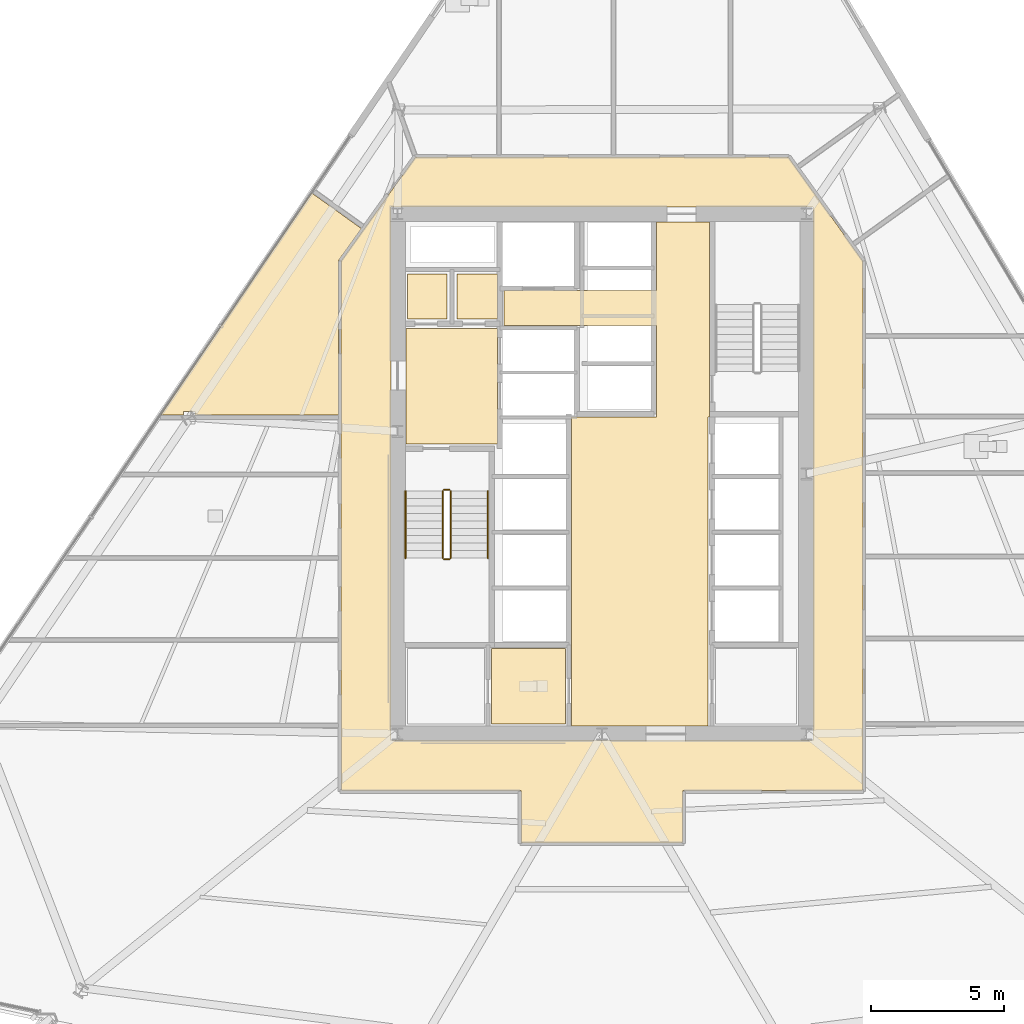
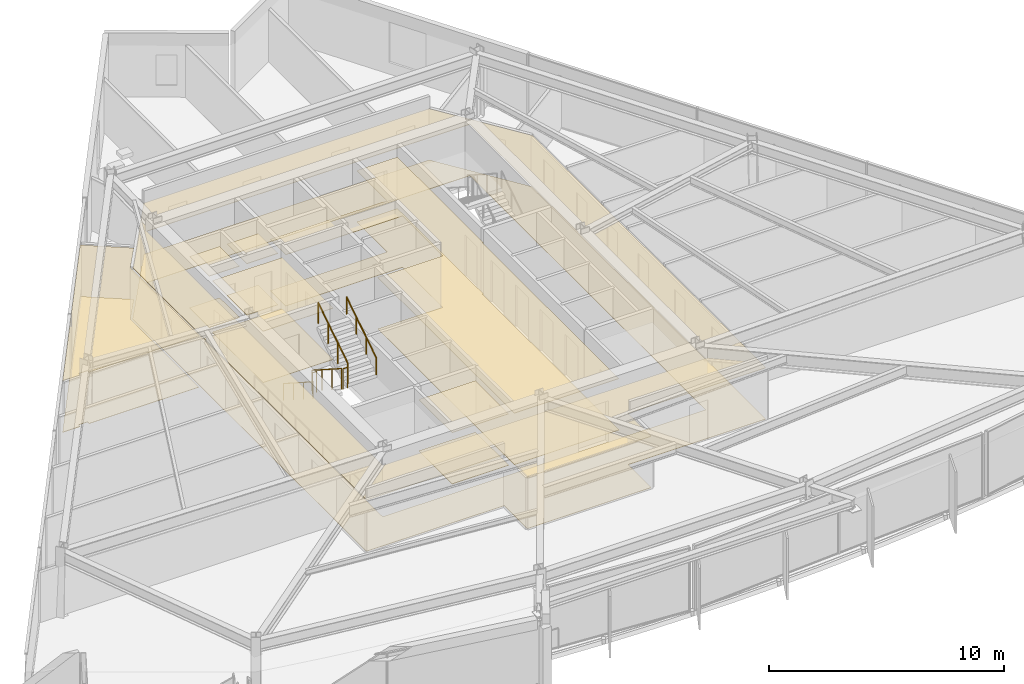
# One storey, part 14 of 17: 14 coverings, 6 railings.
"""IFC4 building model written with IfcOpenShell, lengths in metres."""

import ifcopenshell
import ifcopenshell.guid

model = None  # the IFC model being written
_history = None  # IfcOwnerHistory: only IFC2X3 demands one
_inside = {}  # id of a spatial element -> (the spatial element, [elements in it])
_under = {}  # id of a project, library or spatial element -> (it, [spatial elements below it])
_declared = {}  # id of a project -> (the project, [libraries it declares])
_typed = {}  # id of a type object -> (the type object, [elements of that type])
_made_of = {}  # id of a material, layer set ... -> (it, [elements and type objects made of it])


def new_model(schema):
    """Start an empty IFC model of exactly this schema.

    Asked for "IFC4X3", IfcOpenShell would pick the latest addendum, in which some entities
    have other attributes; the version numbers below select the first issue.
    IFC2X3 requires an IfcOwnerHistory on every rooted entity: one is made here for all.
    """
    global model, _history
    if schema == "IFC4X3":
        model = ifcopenshell.file(schema_version=(4, 3, 0, 0))
    else:
        model = ifcopenshell.file(schema=schema)
    _inside.clear()
    _under.clear()
    _declared.clear()
    _typed.clear()
    _made_of.clear()
    _history = None
    if model.schema == "IFC2X3":
        org = make("IfcOrganization", Name="unknown")
        user = make(
            "IfcPersonAndOrganization",
            ThePerson=make("IfcPerson", FamilyName="unknown"),
            TheOrganization=org,
        )
        app = make(
            "IfcApplication",
            ApplicationDeveloper=org,
            Version="unknown",
            ApplicationFullName="unknown",
            ApplicationIdentifier="unknown",
        )
        _history = make(
            "IfcOwnerHistory",
            OwningUser=user,
            OwningApplication=app,
            ChangeAction="ADDED",
            CreationDate=0,
        )
    return model


def make(cls, **values):
    """One entity of the class cls with the attributes given. An attribute that is None is left unset."""
    return model.create_entity(
        cls, **{name: value for name, value in values.items() if value is not None}
    )


def rooted(cls, **values):
    """An entity with a GlobalId (a new one), such as an element, a storey or a relation."""
    return make(cls, GlobalId=ifcopenshell.guid.new(), OwnerHistory=_history, **values)


def si_unit(unit_type, name, prefix=None):
    """IfcSIUnit, for example si_unit("LENGTHUNIT", "METRE", prefix="MILLI")."""
    return make("IfcSIUnit", UnitType=unit_type, Prefix=prefix, Name=name)


def assignment(units):
    """IfcUnitAssignment: the units of a project."""
    return None if units is None else make("IfcUnitAssignment", Units=units)


def point(xyz):
    """IfcCartesianPoint."""
    return None if xyz is None else make("IfcCartesianPoint", Coordinates=xyz)


def direction(xyz):
    """IfcDirection."""
    return None if xyz is None else make("IfcDirection", DirectionRatios=xyz)


def frame(location, z_axis=None, x_axis=None):
    """IfcAxis2Placement3D, a coordinate frame: its origin and axes. An axis left out is left unset."""
    return make(
        "IfcAxis2Placement3D",
        Location=point(location),
        Axis=direction(z_axis),
        RefDirection=direction(x_axis),
    )


def frame_2d(location, x_axis=None):
    """IfcAxis2Placement2D, a coordinate frame in the plane: its origin and x axis."""
    return make(
        "IfcAxis2Placement2D", Location=point(location), RefDirection=direction(x_axis)
    )


def origin():
    """The frame at (0, 0, 0) with its axes left unset."""
    return frame((0.0, 0.0, 0.0))


def origin_2d():
    """The frame at (0, 0) in the plane with its x axis left unset."""
    return frame_2d((0.0, 0.0))


def place(relative_to, where):
    """IfcLocalPlacement: puts the frame where relative to a parent placement (None: the world)."""
    return make(
        "IfcLocalPlacement", PlacementRelTo=relative_to, RelativePlacement=where
    )


def context(
    kind, dimensions, precision=None, world=None, true_north=None, identifier=None
):
    """IfcGeometricRepresentationContext, for example the 3D "Model" context."""
    return make(
        "IfcGeometricRepresentationContext",
        ContextIdentifier=identifier,
        ContextType=kind,
        CoordinateSpaceDimension=dimensions,
        Precision=precision,
        WorldCoordinateSystem=world,
        TrueNorth=true_north,
    )


def subcontext(parent, identifier, kind, view, scale=None):
    """IfcGeometricRepresentationSubContext, for example "Body" below "Model"."""
    return make(
        "IfcGeometricRepresentationSubContext",
        ContextIdentifier=identifier,
        ContextType=kind,
        ParentContext=parent,
        TargetScale=scale,
        TargetView=view,
    )


def project(units=None, contexts=None):
    """IfcProject with its units and contexts."""
    return rooted(
        "IfcProject",
        Name="project",
        RepresentationContexts=contexts,
        UnitsInContext=assignment(units),
    )


def spatial(cls, under=None, at=None, **own):
    """A site, building, storey or space (cls), placed at a placement, below another one or the project."""
    s = rooted(cls, ObjectPlacement=at, **own)
    if under is not None:
        _under.setdefault(under.id(), (under, []))[1].append(s)
    return s


def polyline(points):
    """IfcPolyline through the points."""
    return make("IfcPolyline", Points=[point(p) for p in points])


def profile(cls, at=None, kind="AREA", **sizes):
    """A parametric profile (cls). Its sizes go by their IFC names, for example OverallWidth=200.0."""
    return make(cls, ProfileType=kind, Position=at, **sizes)


def circle(**sizes):
    """IfcCircleProfileDef."""
    return profile("IfcCircleProfileDef", **sizes)


def outline(outer, holes=None, kind="AREA"):
    """IfcArbitraryClosedProfileDef: a profile drawn as a closed curve; with holes, ...WithVoids."""
    if holes is None:
        return make("IfcArbitraryClosedProfileDef", ProfileType=kind, OuterCurve=outer)
    return make(
        "IfcArbitraryProfileDefWithVoids",
        ProfileType=kind,
        OuterCurve=outer,
        InnerCurves=holes,
    )


def extrude(swept, where, along, depth):
    """IfcExtrudedAreaSolid: the profile swept, set in the frame where, extruded along a direction by depth."""
    return make(
        "IfcExtrudedAreaSolid",
        SweptArea=swept,
        Position=where,
        ExtrudedDirection=direction(along),
        Depth=depth,
    )


def shape(context_of_items, identifier, shape_type, items):
    """IfcShapeRepresentation: the items that make up one representation, for example the "Body"."""
    return make(
        "IfcShapeRepresentation",
        ContextOfItems=context_of_items,
        RepresentationIdentifier=identifier,
        RepresentationType=shape_type,
        Items=items,
    )


def material(Name=None, Category=None):
    """IfcMaterial."""
    return make("IfcMaterial", Name=Name, Category=Category)


def layer(
    of_material, thickness, ventilated=None, Name=None, Category=None, Priority=None
):
    """IfcMaterialLayer: one layer of a wall or slab, of a material (None: an air gap)."""
    return make(
        "IfcMaterialLayer",
        Material=of_material,
        LayerThickness=thickness,
        IsVentilated=ventilated,
        Name=Name,
        Category=Category,
        Priority=Priority,
    )


def layer_set(layers, Name=None):
    """IfcMaterialLayerSet."""
    return make("IfcMaterialLayerSet", MaterialLayers=layers, LayerSetName=Name)


def made_of(thing, what):
    """Note that an element or type object is made of a material, layer set ...; save() writes the relation."""
    if what is not None:
        _made_of.setdefault(what.id(), (what, []))[1].append(thing)
    return thing


def type_object(cls, material=None, **own):
    """A type object (cls), such as IfcWallType, which elements share."""
    return made_of(rooted(cls, **own), material)


def element(
    cls,
    number,
    at=None,
    inside=None,
    cuts=None,
    type_object=None,
    material=None,
    context=None,
    identifier="Body",
    shape_type=None,
    held_by="IfcProductDefinitionShape",
    body=None,
    shapes=None,
    **own,
):
    """One element of the class cls, such as IfcWall. Its Tag is "e" and its number.

    at: its placement. inside: the storey or other place that contains it. cuts: it is an
    opening in that element (IfcRelVoidsElement). A single representation is given by context,
    identifier, shape_type and body (its items); several are given by shapes. held_by: the class
    of the entity that holds the representations. save() writes the other relations.
    """
    e = rooted(cls, Tag="e%d" % number, ObjectPlacement=at, **own)
    if body is not None:
        shapes = [shape(context, identifier, shape_type, body)]
    if shapes is not None:
        e.Representation = make(held_by, Representations=shapes)
    if inside is not None:
        _inside.setdefault(inside.id(), (inside, []))[1].append(e)
    if cuts is not None:
        rooted(
            "IfcRelVoidsElement", RelatingBuildingElement=cuts, RelatedOpeningElement=e
        )
    if type_object is not None:
        _typed.setdefault(type_object.id(), (type_object, []))[1].append(e)
    return made_of(e, material)


def aggregate(whole, parts):
    """IfcRelAggregates: a whole, such as a stair, and the parts it consists of."""
    return rooted("IfcRelAggregates", RelatingObject=whole, RelatedObjects=parts)


def save(model, path):
    """Write the relations noted so far, then the file.

    IfcRelAggregates (storeys below a building ...), IfcRelContainedInSpatialStructure (elements
    in a storey), IfcRelDefinesByType, IfcRelAssociatesMaterial and IfcRelDeclares: one each for
    every whole, place, type object, material and project.
    """
    for whole, parts in _under.values():
        aggregate(whole, parts)
    for where, things in _inside.values():
        rooted(
            "IfcRelContainedInSpatialStructure",
            RelatedElements=things,
            RelatingStructure=where,
        )
    for kind, things in _typed.values():
        rooted("IfcRelDefinesByType", RelatedObjects=things, RelatingType=kind)
    for what, things in _made_of.values():
        rooted("IfcRelAssociatesMaterial", RelatedObjects=things, RelatingMaterial=what)
    for by, libraries in _declared.values():
        rooted("IfcRelDeclares", RelatingContext=by, RelatedDefinitions=libraries)
    model.write(path)


model = new_model("IFC4")

# Units and contexts
model_context = context("Model", 3, precision=1e-05, world=origin(), true_north=direction((0.0, 1.0)))
body_context = subcontext(model_context, "Body", "Model", "MODEL_VIEW")
ifc_project = project(units=[si_unit("LENGTHUNIT", "METRE"), si_unit("AREAUNIT", "SQUARE_METRE"), si_unit("VOLUMEUNIT", "CUBIC_METRE"), si_unit("PLANEANGLEUNIT", "RADIAN"), si_unit("MASSUNIT", "GRAM", prefix="KILO")], contexts=[model_context])

# Site, building, storey
site_placement = place(None, origin())
site = spatial("IfcSite", under=ifc_project, at=site_placement, CompositionType="ELEMENT")
building_placement = place(site_placement, origin())
building = spatial("IfcBuilding", under=site, at=building_placement, Name="Savorim Split Tower", CompositionType="ELEMENT")
storey_placement = place(building_placement, frame((0.0, 0.0, 62.39990234375)))
storey = spatial("IfcBuildingStorey", under=building, at=storey_placement, Name="L16", CompositionType="ELEMENT", Elevation=62.39990234375)

# Coverings
ifc_material_1 = material(Name="Mineral Fibre Acoustic Ceiling")
ifc_layer_1 = layer(ifc_material_1, 0.02490234375)
ifc_layer_set_1 = layer_set([ifc_layer_1], Name="COV-CEIL-25")
covering_type_1 = type_object("IfcCoveringType", Name="COV-CEIL-25", PredefinedType="CEILING", material=ifc_layer_set_1)
covering_1_placement = place(storey_placement, frame((0.0, 0.0, 2.670166015625)))
element("IfcCovering", 1, at=covering_1_placement, inside=storey, type_object=covering_type_1, Name="L16 Firefighting Lift Lobby Acoustic Ceiling", PredefinedType="CEILING", context=body_context, shape_type="SweptSolid", body=[
    extrude(outline(polyline([(-7.3798828125, 5.8701171875), (-7.3798828125, 1.530029296875), (-3.929931640625, 1.530029296875), (-3.929931640625, 5.8701171875), (-7.3798828125, 5.8701171875)])), origin(), (0.0, 0.0, 1.0), 0.02490234375),
])
covering_2_placement = place(storey_placement, frame((0.0, 0.0, 2.670166015625)))
element("IfcCovering", 2, at=covering_2_placement, inside=storey, type_object=covering_type_1, Name="L16 Electrical Riser Acoustic Ceiling", PredefinedType="CEILING", context=body_context, shape_type="SweptSolid", body=[
    extrude(outline(polyline([(-7.320068359375, 7.919921875), (-7.320068359375, 6.22998046875), (-5.830078125, 6.22998046875), (-5.830078125, 7.919921875), (-7.320068359375, 7.919921875)])), origin(), (0.0, 0.0, 1.0), 0.02490234375),
])
covering_3_placement = place(storey_placement, frame((0.0, 0.0, 2.670166015625)))
element("IfcCovering", 3, at=covering_3_placement, inside=storey, type_object=covering_type_1, Name="L16 Telecom Riser Acoustic Ceiling", PredefinedType="CEILING", context=body_context, shape_type="SweptSolid", body=[
    extrude(outline(polyline([(-5.469970703125, 7.919921875), (-5.469970703125, 6.22998046875), (-3.929931640625, 6.22998046875), (-3.929931640625, 7.919921875), (-5.469970703125, 7.919921875)])), origin(), (0.0, 0.0, 1.0), 0.02490234375),
])
covering_4_placement = place(storey_placement, frame((0.0, 0.0, 2.670166015625)))
element("IfcCovering", 4, at=covering_4_placement, inside=storey, type_object=covering_type_1, Name="L16 Lift Lobby Acoustic Ceiling", PredefinedType="CEILING", context=body_context, shape_type="SweptSolid", body=[
    extrude(outline(polyline([(2.050048828125, 2.550048828125), (-1.14990234375, 2.550048828125), (-1.14990234375, -9.10009765625), (4.0, -9.10009765625), (4.0, 2.550048828125), (4.050048828125, 2.550048828125), (4.050048828125, 5.97998046875), (4.050048828125, 7.300048828125), (4.050048828125, 9.8798828125), (2.050048828125, 9.8798828125), (2.050048828125, 7.300048828125), (-3.699951171875, 7.300048828125), (-3.699951171875, 5.97998046875), (2.050048828125, 5.97998046875), (2.050048828125, 2.550048828125)])), origin(), (0.0, 0.0, 1.0), 0.02490234375),
])
covering_5_placement = place(storey_placement, frame((0.0, 0.0, 2.670166015625)))
element("IfcCovering", 5, at=covering_5_placement, inside=storey, type_object=covering_type_1, Name="L16 Accessible WC Acoustic Ceiling", PredefinedType="CEILING", context=body_context, shape_type="SweptSolid", body=[
    extrude(outline(polyline([(-4.169921875, -6.179931640625), (-4.169921875, -9.02001953125), (-1.3798828125, -9.02001953125), (-1.3798828125, -6.179931640625), (-4.169921875, -6.179931640625)])), origin(), (0.0, 0.0, 1.0), 0.02490234375),
])
covering_6_placement = place(storey_placement, frame((0.0, 0.0, 2.670166015625)))
element("IfcCovering", 6, at=covering_6_placement, inside=storey, type_object=covering_type_1, Name="L16 Corridor Acoustic Ceiling", PredefinedType="CEILING", context=body_context, shape_type="SweptSolid", body=[
    extrude(outline(polyline([(7.009521484375, 12.3291015625), (7.004638671875, 12.329833984375), (7.0, 12.330078125), (-7.0, 12.330078125), (-7.004638671875, 12.329833984375), (-7.009521484375, 12.3291015625), (-7.013916015625, 12.327880859375), (-7.0185546875, 12.326416015625), (-7.022705078125, 12.324462890625), (-7.027099609375, 12.322021484375), (-7.03076171875, 12.3193359375), (-7.034423828125, 12.31640625), (-7.03759765625, 12.312744140625), (-7.04052734375, 12.30908203125), (-9.820556640625, 8.42919921875), (-9.823486328125, 8.4248046875), (-9.82568359375, 8.420166015625), (-9.82763671875, 8.415283203125), (-9.828857421875, 8.410400390625), (-9.82958984375, 8.4052734375), (-9.830078125, 8.39990234375), (-9.830078125, -11.47998046875), (-9.829833984375, -11.48486328125), (-9.8291015625, -11.48974609375), (-9.827880859375, -11.494384765625), (-9.826171875, -11.4990234375), (-9.82421875, -11.503662109375), (-9.821533203125, -11.5078125), (-9.818603515625, -11.51171875), (-9.8154296875, -11.515380859375), (-9.811767578125, -11.518798828125), (-9.807861328125, -11.521484375), (-9.8037109375, -11.524169921875), (-9.799072265625, -11.526123046875), (-9.79443359375, -11.52783203125), (-9.789794921875, -11.529052734375), (-9.784912109375, -11.52978515625), (-9.780029296875, -11.530029296875), (-3.050048828125, -11.530029296875), (-3.050048828125, -13.449951171875), (-3.0498046875, -13.454833984375), (-3.049072265625, -13.459716796875), (-3.0478515625, -13.464599609375), (-3.046142578125, -13.468994140625), (-3.044189453125, -13.4736328125), (-3.04150390625, -13.477783203125), (-3.038818359375, -13.481689453125), (-3.035400390625, -13.4853515625), (-3.03173828125, -13.48876953125), (-3.02783203125, -13.49169921875), (-3.023681640625, -13.494140625), (-3.01904296875, -13.49609375), (-3.014404296875, -13.497802734375), (-3.009765625, -13.4990234375), (-3.0048828125, -13.499755859375), (-3.0, -13.5), (3.0, -13.5), (3.0048828125, -13.499755859375), (3.009765625, -13.4990234375), (3.014404296875, -13.497802734375), (3.01904296875, -13.49609375), (3.023681640625, -13.494140625), (3.02783203125, -13.49169921875), (3.03173828125, -13.48876953125), (3.035400390625, -13.4853515625), (3.038818359375, -13.481689453125), (3.04150390625, -13.477783203125), (3.044189453125, -13.4736328125), (3.046142578125, -13.468994140625), (3.0478515625, -13.464599609375), (3.049072265625, -13.459716796875), (3.0498046875, -13.454833984375), (3.050048828125, -13.449951171875), (3.050048828125, -11.530029296875), (9.780029296875, -11.530029296875), (9.784912109375, -11.52978515625), (9.789794921875, -11.529052734375), (9.79443359375, -11.52783203125), (9.799072265625, -11.526123046875), (9.8037109375, -11.524169921875), (9.807861328125, -11.521484375), (9.811767578125, -11.518798828125), (9.8154296875, -11.515380859375), (9.818603515625, -11.51171875), (9.821533203125, -11.5078125), (9.82421875, -11.503662109375), (9.826171875, -11.4990234375), (9.827880859375, -11.494384765625), (9.8291015625, -11.48974609375), (9.829833984375, -11.48486328125), (9.830078125, -11.47998046875), (9.830078125, 8.39990234375), (9.82958984375, 8.4052734375), (9.828857421875, 8.410400390625), (9.82763671875, 8.415283203125), (9.82568359375, 8.420166015625), (9.823486328125, 8.4248046875), (9.820556640625, 8.42919921875), (7.04052734375, 12.30908203125), (7.03759765625, 12.312744140625), (7.034423828125, 12.31640625), (7.03076171875, 12.3193359375), (7.027099609375, 12.322021484375), (7.022705078125, 12.324462890625), (7.0185546875, 12.326416015625), (7.013916015625, 12.327880859375), (7.009521484375, 12.3291015625)]), holes=[polyline([(-7.949951171875, 10.449951171875), (-7.949951171875, -9.64990234375), (7.949951171875, -9.64990234375), (7.949951171875, 10.449951171875), (-7.949951171875, 10.449951171875)])]), origin(), (0.0, 0.0, 1.0), 0.02490234375),
])
covering_7_placement = place(storey_placement, frame((0.0, 0.0, 2.670166015625)))
element("IfcCovering", 7, at=covering_7_placement, inside=storey, type_object=covering_type_1, Name="L16 Maker Workshop Acoustic Ceiling", PredefinedType="CEILING", context=body_context, shape_type="SweptSolid", body=[
    extrude(outline(polyline([(-9.908203125, 8.456298828125), (-9.901611328125, 8.46923828125), (-9.893798828125, 8.4814453125), (-9.06298828125, 9.640869140625), (-10.9345703125, 10.98193359375), (-16.630615234375, 2.609130859375), (-15.76123046875, 2.609130859375), (-15.76123046875, 2.74169921875), (-15.3291015625, 2.74169921875), (-15.3291015625, 2.609130859375), (-9.919921875, 2.609130859375), (-9.919921875, 8.39990234375), (-9.919189453125, 8.41455078125), (-9.9169921875, 8.4287109375), (-9.913330078125, 8.44287109375), (-9.908203125, 8.456298828125)])), origin(), (0.0, 0.0, 1.0), 0.02490234375),
])
ifc_material_2 = material(Name="Porcelain Stoneware Flooring", Category="masonry")
ifc_layer_2 = layer(ifc_material_2, 0.02001953125)
ifc_layer_set_2 = layer_set([ifc_layer_2], Name="COV-FLOR-20")
covering_type_2 = type_object("IfcCoveringType", Name="COV-FLOR-20", PredefinedType="FLOORING", material=ifc_layer_set_2)
covering_8_placement = place(storey_placement, origin())
element("IfcCovering", 8, at=covering_8_placement, inside=storey, type_object=covering_type_2, Name="L16 Firefighting Lift Lobby Porcelain Flooring", PredefinedType="FLOORING", context=body_context, shape_type="SweptSolid", body=[
    extrude(outline(polyline([(-7.3798828125, 5.8701171875), (-7.3798828125, 1.530029296875), (-3.929931640625, 1.530029296875), (-3.929931640625, 5.8701171875), (-7.3798828125, 5.8701171875)])), origin(), (0.0, 0.0, 1.0), 0.02001953125),
])
covering_9_placement = place(storey_placement, origin())
element("IfcCovering", 9, at=covering_9_placement, inside=storey, type_object=covering_type_2, Name="L16 Electrical Riser Porcelain Flooring", PredefinedType="FLOORING", context=body_context, shape_type="SweptSolid", body=[
    extrude(outline(polyline([(-7.320068359375, 7.919921875), (-7.320068359375, 6.22998046875), (-5.830078125, 6.22998046875), (-5.830078125, 7.919921875), (-7.320068359375, 7.919921875)])), origin(), (0.0, 0.0, 1.0), 0.02001953125),
])
covering_10_placement = place(storey_placement, origin())
element("IfcCovering", 10, at=covering_10_placement, inside=storey, type_object=covering_type_2, Name="L16 Telecom Riser Porcelain Flooring", PredefinedType="FLOORING", context=body_context, shape_type="SweptSolid", body=[
    extrude(outline(polyline([(-5.469970703125, 7.919921875), (-5.469970703125, 6.22998046875), (-3.929931640625, 6.22998046875), (-3.929931640625, 7.919921875), (-5.469970703125, 7.919921875)])), origin(), (0.0, 0.0, 1.0), 0.02001953125),
])
covering_11_placement = place(storey_placement, origin())
element("IfcCovering", 11, at=covering_11_placement, inside=storey, type_object=covering_type_2, Name="L16 Lift Lobby Porcelain Flooring", PredefinedType="FLOORING", context=body_context, shape_type="SweptSolid", body=[
    extrude(outline(polyline([(2.050048828125, 2.550048828125), (-1.14990234375, 2.550048828125), (-1.14990234375, -9.10009765625), (4.0, -9.10009765625), (4.0, 2.550048828125), (4.050048828125, 2.550048828125), (4.050048828125, 5.97998046875), (4.050048828125, 7.300048828125), (4.050048828125, 9.8798828125), (2.050048828125, 9.8798828125), (2.050048828125, 7.300048828125), (-3.699951171875, 7.300048828125), (-3.699951171875, 5.97998046875), (2.050048828125, 5.97998046875), (2.050048828125, 2.550048828125)])), origin(), (0.0, 0.0, 1.0), 0.02001953125),
])
covering_12_placement = place(storey_placement, origin())
element("IfcCovering", 12, at=covering_12_placement, inside=storey, type_object=covering_type_2, Name="L16 Accessible WC Porcelain Flooring", PredefinedType="FLOORING", context=body_context, shape_type="SweptSolid", body=[
    extrude(outline(polyline([(-4.169921875, -6.179931640625), (-4.169921875, -9.02001953125), (-1.3798828125, -9.02001953125), (-1.3798828125, -6.179931640625), (-4.169921875, -6.179931640625)])), origin(), (0.0, 0.0, 1.0), 0.02001953125),
])
covering_13_placement = place(storey_placement, origin())
element("IfcCovering", 13, at=covering_13_placement, inside=storey, type_object=covering_type_2, Name="L16 Corridor Porcelain Flooring", PredefinedType="FLOORING", context=body_context, shape_type="SweptSolid", body=[
    extrude(outline(polyline([(7.009521484375, 12.3291015625), (7.004638671875, 12.329833984375), (7.0, 12.330078125), (-7.0, 12.330078125), (-7.004638671875, 12.329833984375), (-7.009521484375, 12.3291015625), (-7.013916015625, 12.327880859375), (-7.0185546875, 12.326416015625), (-7.022705078125, 12.324462890625), (-7.027099609375, 12.322021484375), (-7.03076171875, 12.3193359375), (-7.034423828125, 12.31640625), (-7.03759765625, 12.312744140625), (-7.04052734375, 12.30908203125), (-9.820556640625, 8.42919921875), (-9.823486328125, 8.4248046875), (-9.82568359375, 8.420166015625), (-9.82763671875, 8.415283203125), (-9.828857421875, 8.410400390625), (-9.82958984375, 8.4052734375), (-9.830078125, 8.39990234375), (-9.830078125, -11.47998046875), (-9.829833984375, -11.48486328125), (-9.8291015625, -11.48974609375), (-9.827880859375, -11.494384765625), (-9.826171875, -11.4990234375), (-9.82421875, -11.503662109375), (-9.821533203125, -11.5078125), (-9.818603515625, -11.51171875), (-9.8154296875, -11.515380859375), (-9.811767578125, -11.518798828125), (-9.807861328125, -11.521484375), (-9.8037109375, -11.524169921875), (-9.799072265625, -11.526123046875), (-9.79443359375, -11.52783203125), (-9.789794921875, -11.529052734375), (-9.784912109375, -11.52978515625), (-9.780029296875, -11.530029296875), (-3.050048828125, -11.530029296875), (-3.050048828125, -13.449951171875), (-3.0498046875, -13.454833984375), (-3.049072265625, -13.459716796875), (-3.0478515625, -13.464599609375), (-3.046142578125, -13.468994140625), (-3.044189453125, -13.4736328125), (-3.04150390625, -13.477783203125), (-3.038818359375, -13.481689453125), (-3.035400390625, -13.4853515625), (-3.03173828125, -13.48876953125), (-3.02783203125, -13.49169921875), (-3.023681640625, -13.494140625), (-3.01904296875, -13.49609375), (-3.014404296875, -13.497802734375), (-3.009765625, -13.4990234375), (-3.0048828125, -13.499755859375), (-3.0, -13.5), (3.0, -13.5), (3.0048828125, -13.499755859375), (3.009765625, -13.4990234375), (3.014404296875, -13.497802734375), (3.01904296875, -13.49609375), (3.023681640625, -13.494140625), (3.02783203125, -13.49169921875), (3.03173828125, -13.48876953125), (3.035400390625, -13.4853515625), (3.038818359375, -13.481689453125), (3.04150390625, -13.477783203125), (3.044189453125, -13.4736328125), (3.046142578125, -13.468994140625), (3.0478515625, -13.464599609375), (3.049072265625, -13.459716796875), (3.0498046875, -13.454833984375), (3.050048828125, -13.449951171875), (3.050048828125, -11.530029296875), (9.780029296875, -11.530029296875), (9.784912109375, -11.52978515625), (9.789794921875, -11.529052734375), (9.79443359375, -11.52783203125), (9.799072265625, -11.526123046875), (9.8037109375, -11.524169921875), (9.807861328125, -11.521484375), (9.811767578125, -11.518798828125), (9.8154296875, -11.515380859375), (9.818603515625, -11.51171875), (9.821533203125, -11.5078125), (9.82421875, -11.503662109375), (9.826171875, -11.4990234375), (9.827880859375, -11.494384765625), (9.8291015625, -11.48974609375), (9.829833984375, -11.48486328125), (9.830078125, -11.47998046875), (9.830078125, 8.39990234375), (9.82958984375, 8.4052734375), (9.828857421875, 8.410400390625), (9.82763671875, 8.415283203125), (9.82568359375, 8.420166015625), (9.823486328125, 8.4248046875), (9.820556640625, 8.42919921875), (7.04052734375, 12.30908203125), (7.03759765625, 12.312744140625), (7.034423828125, 12.31640625), (7.03076171875, 12.3193359375), (7.027099609375, 12.322021484375), (7.022705078125, 12.324462890625), (7.0185546875, 12.326416015625), (7.013916015625, 12.327880859375), (7.009521484375, 12.3291015625)]), holes=[polyline([(-7.949951171875, 10.449951171875), (-7.949951171875, -9.64990234375), (7.949951171875, -9.64990234375), (7.949951171875, 10.449951171875), (-7.949951171875, 10.449951171875)])]), origin(), (0.0, 0.0, 1.0), 0.02001953125),
])
covering_14_placement = place(storey_placement, origin())
element("IfcCovering", 14, at=covering_14_placement, inside=storey, type_object=covering_type_2, Name="L16 Maker Workshop Porcelain Flooring", PredefinedType="FLOORING", context=body_context, shape_type="SweptSolid", body=[
    extrude(outline(polyline([(-9.908203125, 8.456298828125), (-9.901611328125, 8.46923828125), (-9.893798828125, 8.4814453125), (-9.06298828125, 9.640869140625), (-10.9345703125, 10.98193359375), (-16.630615234375, 2.609130859375), (-15.76123046875, 2.609130859375), (-15.76123046875, 2.74169921875), (-15.3291015625, 2.74169921875), (-15.3291015625, 2.609130859375), (-9.919921875, 2.609130859375), (-9.919921875, 8.39990234375), (-9.919189453125, 8.41455078125), (-9.9169921875, 8.4287109375), (-9.913330078125, 8.44287109375), (-9.908203125, 8.456298828125)])), origin(), (0.0, 0.0, 1.0), 0.02001953125),
])

# Railings
ifc_material_3 = material(Name="Galvanised Painted Steel Balustrade", Category="steel")
railing_type_1 = type_object("IfcRailingType", Name="RLG-HR-900", PredefinedType="HANDRAIL", material=ifc_material_3)
railing_1_placement = place(storey_placement, frame((-7.39990234375, -0.25, 0.18017578125)))
element("IfcRailing", 15, at=railing_1_placement, inside=storey, type_object=railing_type_1, Name="L16 ST-1 stair handrail 1", PredefinedType="HANDRAIL", context=body_context, shape_type="SweptSolid", body=[
    extrude(circle(Radius=0.02392578125, at=origin_2d()), frame((0.0, 0.0, 0.8759765625), z_axis=(0.0, -0.841199657755, 0.540724639528), x_axis=(1.0, 0.0, 0.0)), (0.0, 0.0, 1.0), 2.995849609375),
    extrude(circle(Radius=0.02099609375, at=origin_2d()), origin(), (0.0, 0.0, 1.0), 0.851806640625),
    extrude(circle(Radius=0.02099609375, at=origin_2d()), frame((0.0, -0.840087890625, 0.5400390625)), (0.0, 0.0, 1.0), 0.851806640625),
    extrude(circle(Radius=0.02099609375, at=origin_2d()), frame((0.0, -1.679931640625, 1.079833984375)), (0.0, 0.0, 1.0), 0.851806640625),
    extrude(circle(Radius=0.02099609375, at=origin_2d()), frame((0.0, -2.52001953125, 1.619873046875)), (0.0, 0.0, 1.0), 0.851806640625),
])
railing_2_placement = place(storey_placement, frame((-4.300048828125, -2.77001953125, 1.97998046875)))
element("IfcRailing", 16, at=railing_2_placement, inside=storey, type_object=railing_type_1, Name="L16 ST-1 stair handrail 2", PredefinedType="HANDRAIL", context=body_context, shape_type="SweptSolid", body=[
    extrude(circle(Radius=0.02392578125, at=origin_2d()), frame((0.0, 0.0, 0.8759765625), z_axis=(0.0, 0.841162588446, 0.540782303519), x_axis=(-1.0, 0.0, 0.0)), (0.0, 0.0, 1.0), 2.995849609375),
    extrude(circle(Radius=0.02099609375, at=origin_2d()), origin(), (0.0, 0.0, 1.0), 0.851806640625),
    extrude(circle(Radius=0.02099609375, at=origin_2d()), frame((0.0, 0.840087890625, 0.5400390625)), (0.0, 0.0, 1.0), 0.851806640625),
    extrude(circle(Radius=0.02099609375, at=origin_2d()), frame((0.0, 1.679931640625, 1.080078125)), (0.0, 0.0, 1.0), 0.851806640625),
    extrude(circle(Radius=0.02099609375, at=origin_2d()), frame((0.0, 2.52001953125, 1.6201171875)), (0.0, 0.0, 1.0), 0.851806640625),
])
railing_type_2 = type_object("IfcRailingType", Name="RLG-STG-1100", PredefinedType="BALUSTRADE", material=ifc_material_3)
railing_3_placement = place(storey_placement, frame((-6.0, -0.25, 0.18017578125)))
element("IfcRailing", 17, at=railing_3_placement, inside=storey, type_object=railing_type_2, Name="L16 ST-1 stair guard 1", PredefinedType="BALUSTRADE", context=body_context, shape_type="SweptSolid", body=[
    extrude(circle(Radius=0.02392578125, at=origin_2d()), frame((0.0, 0.0, 1.076171875), z_axis=(0.0, -0.841199657755, 0.540724639528), x_axis=(1.0, 0.0, 0.0)), (0.0, 0.0, 1.0), 2.995849609375),
    extrude(circle(Radius=0.02099609375, at=origin_2d()), origin(), (0.0, 0.0, 1.0), 1.052001953125),
    extrude(circle(Radius=0.02099609375, at=origin_2d()), frame((0.0, -0.840087890625, 0.5400390625)), (0.0, 0.0, 1.0), 1.052001953125),
    extrude(circle(Radius=0.02099609375, at=origin_2d()), frame((0.0, -1.679931640625, 1.079833984375)), (0.0, 0.0, 1.0), 1.052001953125),
    extrude(circle(Radius=0.02099609375, at=origin_2d()), frame((0.0, -2.52001953125, 1.619873046875)), (0.0, 0.0, 1.0), 1.052001953125),
])
railing_4_placement = place(storey_placement, frame((-5.949951171875, -2.820068359375, 1.800048828125)))
element("IfcRailing", 18, at=railing_4_placement, inside=storey, type_object=railing_type_2, Name="L16 ST-1 stair guard 2", PredefinedType="BALUSTRADE", context=body_context, shape_type="SweptSolid", body=[
    extrude(circle(Radius=0.02392578125, at=origin_2d()), frame((0.0, 0.0, 1.076171875), z_axis=(1.0, 0.0, 0.0), x_axis=(0.0, 1.0, 0.0)), (0.0, 0.0, 1.0), 0.199951171875),
    extrude(circle(Radius=0.02099609375, at=origin_2d()), origin(), (0.0, 0.0, 1.0), 1.052001953125),
    extrude(circle(Radius=0.02099609375, at=origin_2d()), frame((0.199951171875, 0.0, 0.0)), (0.0, 0.0, 1.0), 1.052001953125),
])
railing_5_placement = place(storey_placement, frame((-5.699951171875, -2.77001953125, 1.97998046875)))
element("IfcRailing", 19, at=railing_5_placement, inside=storey, type_object=railing_type_2, Name="L16 ST-1 stair guard 3", PredefinedType="BALUSTRADE", context=body_context, shape_type="SweptSolid", body=[
    extrude(circle(Radius=0.02392578125, at=origin_2d()), frame((0.0, 0.0, 1.076171875), z_axis=(0.0, 0.841162588446, 0.540782303519), x_axis=(-1.0, 0.0, 0.0)), (0.0, 0.0, 1.0), 2.995849609375),
    extrude(circle(Radius=0.02099609375, at=origin_2d()), origin(), (0.0, 0.0, 1.0), 1.052001953125),
    extrude(circle(Radius=0.02099609375, at=origin_2d()), frame((0.0, 0.840087890625, 0.5400390625)), (0.0, 0.0, 1.0), 1.052001953125),
    extrude(circle(Radius=0.02099609375, at=origin_2d()), frame((0.0, 1.679931640625, 1.080078125)), (0.0, 0.0, 1.0), 1.052001953125),
    extrude(circle(Radius=0.02099609375, at=origin_2d()), frame((0.0, 2.52001953125, 1.6201171875)), (0.0, 0.0, 1.0), 1.052001953125),
])
railing_6_placement = place(storey_placement, frame((-5.949951171875, -0.199951171875, 0.0)))
element("IfcRailing", 20, at=railing_6_placement, inside=storey, type_object=railing_type_2, Name="L16 ST-1 stair guard 4", PredefinedType="BALUSTRADE", context=body_context, shape_type="SweptSolid", body=[
    extrude(circle(Radius=0.02392578125, at=origin_2d()), frame((0.0, 0.0, 1.076171875), z_axis=(1.0, 0.0, 0.0), x_axis=(0.0, 1.0, 0.0)), (0.0, 0.0, 1.0), 0.199951171875),
    extrude(circle(Radius=0.02099609375, at=origin_2d()), origin(), (0.0, 0.0, 1.0), 1.052001953125),
    extrude(circle(Radius=0.02099609375, at=origin_2d()), frame((0.199951171875, 0.0, 0.0)), (0.0, 0.0, 1.0), 1.052001953125),
])

save(model, "model.ifc")
